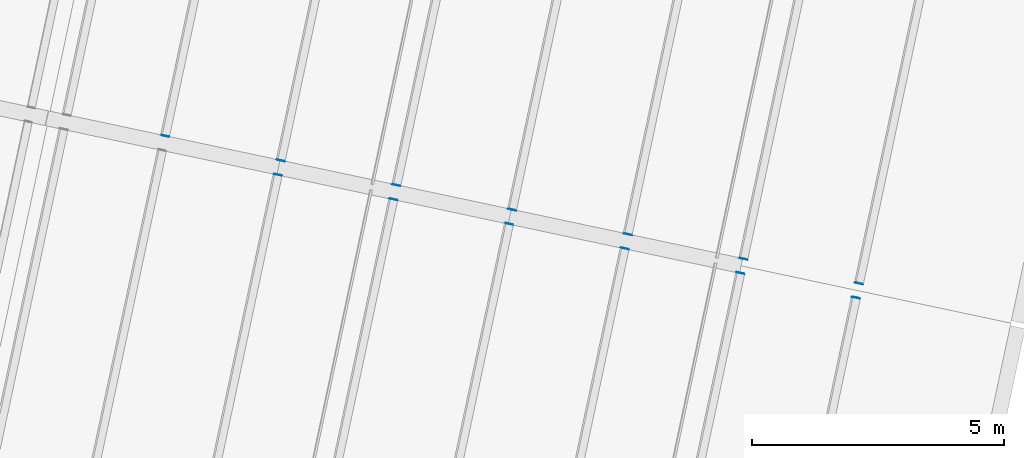
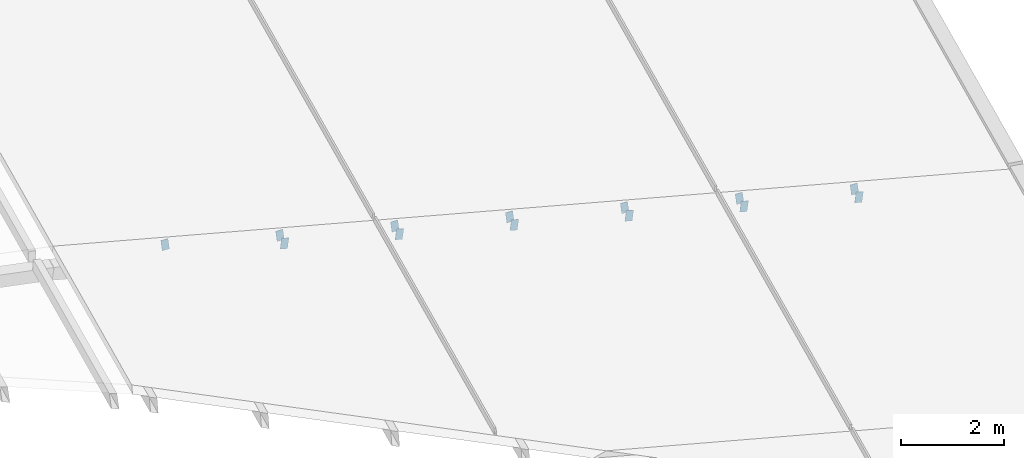
# One storey, part 164 of 196: 13 discrete accessories.
"""IFC4 building model written with IfcOpenShell, lengths in metres."""

from ifc_helpers import new_model, si_unit, direction, frame, origin, origin_2d, place, context, subcontext, project, spatial, rectangle, extrude, material, layer, layer_set, type_object, element, save


model = new_model("IFC4")

# Units and contexts
model_context = context("Model", 3, precision=1e-05, world=origin(), true_north=direction((0.0, 1.0)))
body_context = subcontext(model_context, "Body", "Model", "MODEL_VIEW")
ifc_project = project(units=[si_unit("LENGTHUNIT", "METRE"), si_unit("AREAUNIT", "SQUARE_METRE"), si_unit("VOLUMEUNIT", "CUBIC_METRE"), si_unit("PLANEANGLEUNIT", "RADIAN"), si_unit("MASSUNIT", "GRAM", prefix="KILO")], contexts=[model_context])

# Site, building, storey
site_placement = place(None, origin())
site = spatial("IfcSite", under=ifc_project, at=site_placement, CompositionType="ELEMENT")
building_placement = place(site_placement, origin())
building = spatial("IfcBuilding", under=site, at=building_placement, Name="Okhra Congress Centre", CompositionType="ELEMENT")
storey_placement = place(building_placement, frame((0.0, 0.0, 12.0)))
storey = spatial("IfcBuildingStorey", under=building, at=storey_placement, Name="L02", CompositionType="ELEMENT", Elevation=12.0)

# Discrete accessories
ifc_material = material(Name="Steel S355J2", Category="steel")
ifc_layer = layer(ifc_material, 0.011962890625)
ifc_layer_set = layer_set([ifc_layer], Name="Hollow section end cap 12 mm S355")
discrete_accessory_type = type_object("IfcDiscreteAccessoryType", Name="Hollow section end cap 12 mm S355", PredefinedType="BRACKET", material=ifc_layer_set)
for number, where, z_axis, x_axis, name in (
    (1, (248.39599609375, 119.98291015625, 1.654296875), (0.203954254112, 0.978980419738, 0.0), (-0.971683248143, 0.20243401003, 0.121869343405), "Hollow section end cap"),
    (2, (250.694580078125, 119.494384765625, 1.36572265625), (0.203954254112, 0.978980419738, 0.0), (-0.971683248143, 0.20243401003, 0.121869343405), "Hollow section end cap"),
    (3, (252.9931640625, 119.005615234375, 1.0771484375), (0.203954254112, 0.978980419738, 0.0), (-0.971683248143, 0.20243401003, 0.121869343405), "Hollow section end cap"),
    (4, (255.291748046875, 118.51708984375, 0.78857421875), (0.223376156329, 0.974732318528, 0.0), (-0.967466811636, 0.221711144333, 0.121869343405), "Hollow section end cap"),
    (5, (257.590576171875, 118.028564453125, 0.5), (0.203954254112, 0.978980419738, 0.0), (-0.971683248143, 0.20243401003, 0.121869343405), "Hollow section end cap"),
    (6, (259.88916015625, 117.5400390625, 0.21142578125), (0.203954254112, 0.978980419738, 0.0), (-0.971683248143, 0.20243401003, 0.121869343405), "Hollow section end cap"),
    (7, (246.15966796875, 120.764892578125, 1.94287109375), (-0.203954254112, -0.978980419738, 0.0), (0.971683248143, -0.20243401003, 0.121869343405), "Hollow section end cap"),
    (8, (248.458251953125, 120.2763671875, 1.654296875), (-0.203954254112, -0.978980419738, 0.0), (0.971683248143, -0.20243401003, 0.121869343405), "Hollow section end cap"),
    (9, (250.7568359375, 119.787841796875, 1.36572265625), (-0.203954254112, -0.978980419738, 0.0), (0.971683248143, -0.20243401003, 0.121869343405), "Hollow section end cap"),
    (10, (253.0556640625, 119.299072265625, 1.0771484375), (-0.223376156329, -0.974732318528, 0.0), (0.967466811636, -0.221711144333, 0.121869343405), "Hollow section end cap"),
    (11, (255.354248046875, 118.810546875, 0.78857421875), (-0.203954254112, -0.978980419738, 0.0), (0.971683248143, -0.20243401003, 0.121869343405), "Hollow section end cap"),
    (12, (257.65283203125, 118.322021484375, 0.5), (-0.203954254112, -0.978980419738, 0.0), (0.971683248143, -0.20243401003, 0.121869343405), "Hollow section end cap"),
    (13, (259.951416015625, 117.833251953125, 0.21142578125), (-0.203954254112, -0.978980419738, 0.0), (0.971683248143, -0.20243401003, 0.121869343405), "Hollow section end cap"),
):
    element("IfcDiscreteAccessory", number, at=place(storey_placement, frame(where, z_axis=z_axis, x_axis=x_axis)), inside=storey, type_object=discrete_accessory_type, Name=name, PredefinedType="BRACKET", context=body_context, shape_type="SweptSolid", body=[
        extrude(rectangle(XDim=0.14990234375, YDim=0.25, at=origin_2d()), origin(), (0.0, 0.0, 1.0), 0.011962890625),
    ])

save(model, "model.ifc")
